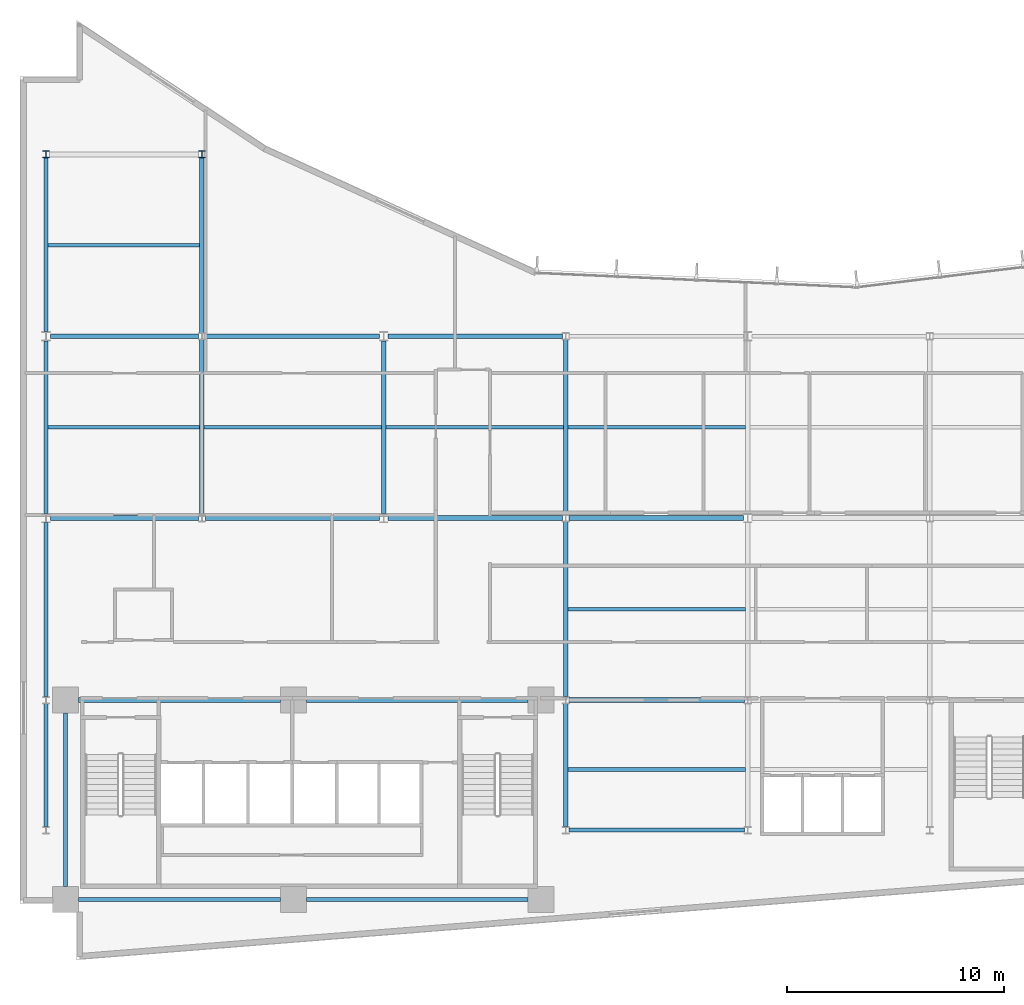
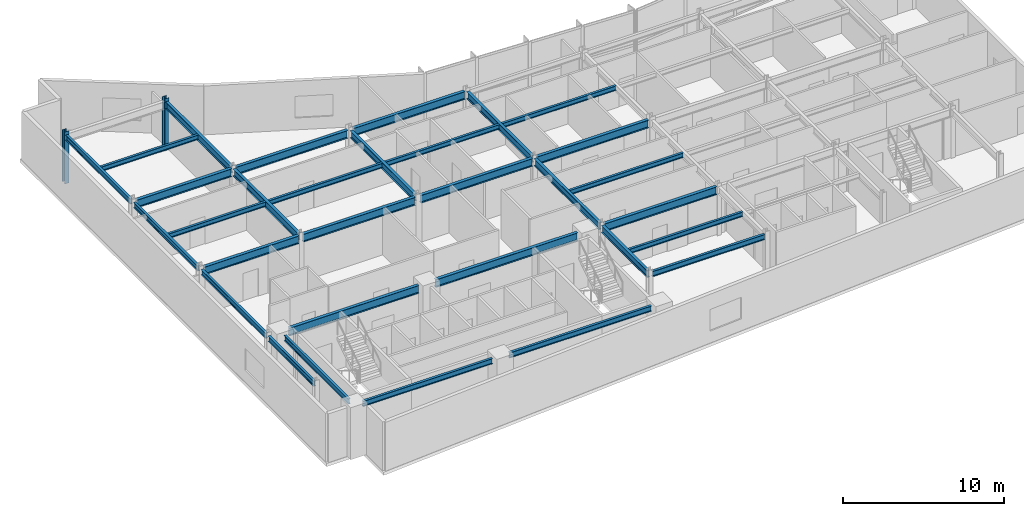
# One storey, part 3 of 17: 31 beams, 2 columns.
"""IFC4 building model written with IfcOpenShell, lengths in metres."""

from ifc_helpers import new_model, si_unit, direction, frame, origin, origin_2d, place, context, subcontext, project, spatial, i_section, extrude, material, material_profile, profile_set, type_object, element, save


model = new_model("IFC4")

# Units and contexts
model_context = context("Model", 3, precision=1e-05, world=origin(), true_north=direction((0.0, 1.0)))
body_context = subcontext(model_context, "Body", "Model", "MODEL_VIEW")
ifc_project = project(units=[si_unit("LENGTHUNIT", "METRE"), si_unit("AREAUNIT", "SQUARE_METRE"), si_unit("VOLUMEUNIT", "CUBIC_METRE"), si_unit("PLANEANGLEUNIT", "RADIAN"), si_unit("MASSUNIT", "GRAM", prefix="KILO")], contexts=[model_context])

# Site, building, storey
site_placement = place(None, origin())
site = spatial("IfcSite", under=ifc_project, at=site_placement, CompositionType="ELEMENT")
building_placement = place(site_placement, origin())
building = spatial("IfcBuilding", under=site, at=building_placement, Name="Varnakote Quay Hospital", CompositionType="ELEMENT")
storey_placement = place(building_placement, frame((0.0, 0.0, 131.0)))
storey = spatial("IfcBuildingStorey", under=building, at=storey_placement, Name="L32", CompositionType="ELEMENT", Elevation=131.0)

# Columns
ifc_material_1 = material(Name="Structural steel AS/NZS 3679.1 Grade 350 L0 (fy 340 MPa)", Category="steel")
ifc_material_profile_1 = material_profile(ifc_material_1, i_section(OverallWidth=0.30908203125, OverallDepth=0.321044921875, WebThickness=0.013916015625, FlangeThickness=0.021728515625, FilletRadius=0.0166015625, at=origin_2d()), Name="310UC137")
ifc_profile_set_1 = profile_set([ifc_material_profile_1], Name="Structural steel AS/NZS 3679.1 Grade 350 L0 (fy 340 MPa)")
column_type = type_object("IfcColumnType", Name="COL-STL-310UC137", PredefinedType="COLUMN", material=ifc_profile_set_1)
for number, where, z_axis, x_axis, name in (
    (1, (1.199951171875, 37.199951171875, 0.0), (0.0, 0.0, 1.0), (1.0, 0.0, 0.0), "L32 Structural Column C-1-37"),
    (2, (8.39990234375, 37.199951171875, 0.0), (0.0, 0.0, 1.0), (1.0, 0.0, 0.0), "L32 Structural Column C-8-37"),
):
    element("IfcColumn", number, at=place(storey_placement, frame(where, z_axis=z_axis, x_axis=x_axis)), inside=storey, type_object=column_type, Name=name, PredefinedType="COLUMN", context=body_context, shape_type="SweptSolid", body=[
        extrude(i_section(OverallWidth=0.30908203125, OverallDepth=0.321044921875, WebThickness=0.013916015625, FlangeThickness=0.021728515625, FilletRadius=0.0166015625, at=origin_2d()), origin(), (0.0, 0.0, 1.0), 3.949951171875),
    ])

# Beams
ifc_material_2 = material(Name="Structural steel AS/NZS 3679.1 Grade 350 L0 (fy 340 MPa)", Category="steel")
ifc_material_profile_2 = material_profile(ifc_material_2, i_section(OverallWidth=0.208984375, OverallDepth=0.532958984375, WebThickness=0.01025390625, FlangeThickness=0.015625, FilletRadius=0.013916015625, at=origin_2d()), Name="530UB92.4")
ifc_profile_set_2 = profile_set([ifc_material_profile_2], Name="Structural steel AS/NZS 3679.1 Grade 350 L0 (fy 340 MPa)")
beam_type_1 = type_object("IfcBeamType", Name="BM-STL-530UB92-4", PredefinedType="BEAM", material=ifc_profile_set_2)
beam_1_placement = place(storey_placement, frame((8.39990234375, 20.560546875, 3.443603515625), z_axis=(0.0, 1.0, 0.0), x_axis=(-1.0, 0.0, 0.0)))
element("IfcBeam", 3, at=beam_1_placement, inside=storey, type_object=beam_type_1, Name="L32 Primary Tie Beam", PredefinedType="BEAM", context=body_context, shape_type="SweptSolid", body=[
    extrude(i_section(OverallWidth=0.208984375, OverallDepth=0.532958984375, WebThickness=0.01025390625, FlangeThickness=0.015625, FilletRadius=0.013916015625, at=origin_2d()), origin(), (0.0, 0.0, 1.0), 8.078857421875),
])
beam_2_placement = place(storey_placement, frame((8.39990234375, 28.96044921875, 3.443603515625), z_axis=(0.0, 1.0, 0.0), x_axis=(-1.0, 0.0, 0.0)))
element("IfcBeam", 4, at=beam_2_placement, inside=storey, type_object=beam_type_1, Name="L32 Primary Tie Beam", PredefinedType="BEAM", context=body_context, shape_type="SweptSolid", body=[
    extrude(i_section(OverallWidth=0.208984375, OverallDepth=0.532958984375, WebThickness=0.01025390625, FlangeThickness=0.015625, FilletRadius=0.013916015625, at=origin_2d()), origin(), (0.0, 0.0, 1.0), 8.0791015625),
])
beam_3_placement = place(storey_placement, frame((16.800048828125, 20.610107421875, 3.443603515625), z_axis=(0.0, 1.0, 0.0), x_axis=(-1.0, 0.0, 0.0)))
element("IfcBeam", 5, at=beam_3_placement, inside=storey, type_object=beam_type_1, Name="L32 Primary Tie Beam", PredefinedType="BEAM", context=body_context, shape_type="SweptSolid", body=[
    extrude(i_section(OverallWidth=0.208984375, OverallDepth=0.532958984375, WebThickness=0.01025390625, FlangeThickness=0.015625, FilletRadius=0.013916015625, at=origin_2d()), origin(), (0.0, 0.0, 1.0), 7.97998046875),
])
beam_4_placement = place(storey_placement, frame((25.199951171875, 6.160400390625, 3.443603515625), z_axis=(0.0, 1.0, 0.0), x_axis=(-1.0, 0.0, 0.0)))
element("IfcBeam", 6, at=beam_4_placement, inside=storey, type_object=beam_type_1, Name="L32 Primary Tie Beam", PredefinedType="BEAM", context=body_context, shape_type="SweptSolid", body=[
    extrude(i_section(OverallWidth=0.208984375, OverallDepth=0.532958984375, WebThickness=0.01025390625, FlangeThickness=0.015625, FilletRadius=0.013916015625, at=origin_2d()), origin(), (0.0, 0.0, 1.0), 5.67919921875),
])
beam_5_placement = place(storey_placement, frame((25.199951171875, 12.160400390625, 3.443603515625), z_axis=(0.0, 1.0, 0.0), x_axis=(-1.0, 0.0, 0.0)))
element("IfcBeam", 7, at=beam_5_placement, inside=storey, type_object=beam_type_1, Name="L32 Primary Tie Beam", PredefinedType="BEAM", context=body_context, shape_type="SweptSolid", body=[
    extrude(i_section(OverallWidth=0.208984375, OverallDepth=0.532958984375, WebThickness=0.01025390625, FlangeThickness=0.015625, FilletRadius=0.013916015625, at=origin_2d()), origin(), (0.0, 0.0, 1.0), 8.0791015625),
])
beam_6_placement = place(storey_placement, frame((25.199951171875, 20.560546875, 3.443603515625), z_axis=(0.0, 1.0, 0.0), x_axis=(-1.0, 0.0, 0.0)))
element("IfcBeam", 8, at=beam_6_placement, inside=storey, type_object=beam_type_1, Name="L32 Primary Tie Beam", PredefinedType="BEAM", context=body_context, shape_type="SweptSolid", body=[
    extrude(i_section(OverallWidth=0.208984375, OverallDepth=0.532958984375, WebThickness=0.01025390625, FlangeThickness=0.015625, FilletRadius=0.013916015625, at=origin_2d()), origin(), (0.0, 0.0, 1.0), 8.078857421875),
])
ifc_material_3 = material(Name="Structural steel AS/NZS 3679.1 Grade 350 L0 (fy 340 MPa)", Category="steel")
ifc_material_profile_3 = material_profile(ifc_material_3, i_section(OverallWidth=0.22802734375, OverallDepth=0.60205078125, WebThickness=0.010498046875, FlangeThickness=0.014892578125, FilletRadius=0.013916015625, at=origin_2d()), Name="610UB101")
ifc_profile_set_3 = profile_set([ifc_material_profile_3], Name="Structural steel AS/NZS 3679.1 Grade 350 L0 (fy 340 MPa)")
beam_type_2 = type_object("IfcBeamType", Name="BM-STL-610UB101", PredefinedType="BEAM", material=ifc_profile_set_3)
beam_7_placement = place(storey_placement, frame((2.699951171875, 12.0, 3.408935546875), z_axis=(1.0, 0.0, 0.0), x_axis=(0.0, 1.0, 0.0)))
element("IfcBeam", 9, at=beam_7_placement, inside=storey, type_object=beam_type_2, Name="L32 Primary Floor Beam", PredefinedType="BEAM", context=body_context, shape_type="SweptSolid", body=[
    extrude(i_section(OverallWidth=0.22802734375, OverallDepth=0.60205078125, WebThickness=0.010498046875, FlangeThickness=0.014892578125, FilletRadius=0.013916015625, at=origin_2d()), origin(), (0.0, 0.0, 1.0), 9.320068359375),
])
beam_8_placement = place(storey_placement, frame((13.219970703125, 12.0, 3.408935546875), z_axis=(1.0, 0.0, 0.0), x_axis=(0.0, 1.0, 0.0)))
element("IfcBeam", 10, at=beam_8_placement, inside=storey, type_object=beam_type_2, Name="L32 Primary Floor Beam", PredefinedType="BEAM", context=body_context, shape_type="SweptSolid", body=[
    extrude(i_section(OverallWidth=0.22802734375, OverallDepth=0.60205078125, WebThickness=0.010498046875, FlangeThickness=0.014892578125, FilletRadius=0.013916015625, at=origin_2d()), origin(), (0.0, 0.0, 1.0), 10.22998046875),
])
beam_9_placement = place(storey_placement, frame((25.3544921875, 12.0, 3.408935546875), z_axis=(1.0, 0.0, 0.0), x_axis=(0.0, 1.0, 0.0)))
element("IfcBeam", 11, at=beam_9_placement, inside=storey, type_object=beam_type_2, Name="L32 Primary Floor Beam", PredefinedType="BEAM", context=body_context, shape_type="SweptSolid", body=[
    extrude(i_section(OverallWidth=0.22802734375, OverallDepth=0.60205078125, WebThickness=0.010498046875, FlangeThickness=0.014892578125, FilletRadius=0.013916015625, at=origin_2d()), origin(), (0.0, 0.0, 1.0), 8.091064453125),
])
beam_10_placement = place(storey_placement, frame((1.39990234375, 20.39990234375, 3.408935546875), z_axis=(1.0, 0.0, 0.0), x_axis=(0.0, 1.0, 0.0)))
element("IfcBeam", 12, at=beam_10_placement, inside=storey, type_object=beam_type_2, Name="L32 Primary Floor Beam", PredefinedType="BEAM", context=body_context, shape_type="SweptSolid", body=[
    extrude(i_section(OverallWidth=0.22802734375, OverallDepth=0.60205078125, WebThickness=0.010498046875, FlangeThickness=0.014892578125, FilletRadius=0.013916015625, at=origin_2d()), origin(), (0.0, 0.0, 1.0), 6.845703125),
])
beam_11_placement = place(storey_placement, frame((8.554443359375, 20.39990234375, 3.408935546875), z_axis=(1.0, 0.0, 0.0), x_axis=(0.0, 1.0, 0.0)))
element("IfcBeam", 13, at=beam_11_placement, inside=storey, type_object=beam_type_2, Name="L32 Primary Floor Beam", PredefinedType="BEAM", context=body_context, shape_type="SweptSolid", body=[
    extrude(i_section(OverallWidth=0.22802734375, OverallDepth=0.60205078125, WebThickness=0.010498046875, FlangeThickness=0.014892578125, FilletRadius=0.013916015625, at=origin_2d()), origin(), (0.0, 0.0, 1.0), 8.045654296875),
])
for number, where, z_axis, x_axis, name in (
    (14, (17.0, 20.39990234375, 3.408935546875), (1.0, 0.0, 0.0), (0.0, 1.0, 0.0), "L32 Primary Floor Beam"),
    (15, (25.3544921875, 20.39990234375, 3.408935546875), (1.0, 0.0, 0.0), (0.0, 1.0, 0.0), "L32 Primary Floor Beam"),
):
    element("IfcBeam", number, at=place(storey_placement, frame(where, z_axis=z_axis, x_axis=x_axis)), inside=storey, type_object=beam_type_2, Name=name, PredefinedType="BEAM", context=body_context, shape_type="SweptSolid", body=[
        extrude(i_section(OverallWidth=0.22802734375, OverallDepth=0.60205078125, WebThickness=0.010498046875, FlangeThickness=0.014892578125, FilletRadius=0.013916015625, at=origin_2d()), origin(), (0.0, 0.0, 1.0), 8.04541015625),
    ])
beam_12_placement = place(storey_placement, frame((1.39990234375, 28.800048828125, 3.408935546875), z_axis=(1.0, 0.0, 0.0), x_axis=(0.0, 1.0, 0.0)))
element("IfcBeam", 16, at=beam_12_placement, inside=storey, type_object=beam_type_2, Name="L32 Primary Floor Beam", PredefinedType="BEAM", context=body_context, shape_type="SweptSolid", body=[
    extrude(i_section(OverallWidth=0.22802734375, OverallDepth=0.60205078125, WebThickness=0.010498046875, FlangeThickness=0.014892578125, FilletRadius=0.013916015625, at=origin_2d()), origin(), (0.0, 0.0, 1.0), 6.845703125),
])
beam_13_placement = place(storey_placement, frame((8.554443359375, 28.800048828125, 3.408935546875), z_axis=(1.0, 0.0, 0.0), x_axis=(0.0, 1.0, 0.0)))
element("IfcBeam", 17, at=beam_13_placement, inside=storey, type_object=beam_type_2, Name="L32 Primary Floor Beam", PredefinedType="BEAM", context=body_context, shape_type="SweptSolid", body=[
    extrude(i_section(OverallWidth=0.22802734375, OverallDepth=0.60205078125, WebThickness=0.010498046875, FlangeThickness=0.014892578125, FilletRadius=0.013916015625, at=origin_2d()), origin(), (0.0, 0.0, 1.0), 8.045654296875),
])
beam_14_placement = place(storey_placement, frame((17.0, 28.800048828125, 3.408935546875), z_axis=(1.0, 0.0, 0.0), x_axis=(0.0, 1.0, 0.0)))
element("IfcBeam", 18, at=beam_14_placement, inside=storey, type_object=beam_type_2, Name="L32 Primary Floor Beam", PredefinedType="BEAM", context=body_context, shape_type="SweptSolid", body=[
    extrude(i_section(OverallWidth=0.22802734375, OverallDepth=0.60205078125, WebThickness=0.010498046875, FlangeThickness=0.014892578125, FilletRadius=0.013916015625, at=origin_2d()), origin(), (0.0, 0.0, 1.0), 8.04541015625),
])
ifc_material_4 = material(Name="Structural steel AS/NZS 3679.1 Grade 350 L0 (fy 340 MPa)", Category="steel")
ifc_material_profile_4 = material_profile(ifc_material_4, i_section(OverallWidth=0.1708984375, OverallDepth=0.35595703125, WebThickness=0.00732421875, FlangeThickness=0.011474609375, FilletRadius=0.011474609375, at=origin_2d()), Name="360UB50.7")
ifc_profile_set_4 = profile_set([ifc_material_profile_4], Name="Structural steel AS/NZS 3679.1 Grade 350 L0 (fy 340 MPa)")
beam_type_3 = type_object("IfcBeamType", Name="JST-STL-360UB50-7", PredefinedType="JOIST", material=ifc_profile_set_4)
for number, where, z_axis, x_axis, name in (
    (19, (25.304443359375, 8.800048828125, 3.531982421875), (1.0, 0.0, 0.0), (0.0, 1.0, 0.0), "L32 Composite Floor Joist"),
    (20, (25.304443359375, 16.199951171875, 3.531982421875), (1.0, 0.0, 0.0), (0.0, 1.0, 0.0), "L32 Composite Floor Joist"),
):
    element("IfcBeam", number, at=place(storey_placement, frame(where, z_axis=z_axis, x_axis=x_axis)), inside=storey, type_object=beam_type_3, Name=name, PredefinedType="JOIST", context=body_context, shape_type="SweptSolid", body=[
        extrude(i_section(OverallWidth=0.1708984375, OverallDepth=0.35595703125, WebThickness=0.00732421875, FlangeThickness=0.011474609375, FilletRadius=0.011474609375, at=origin_2d()), origin(), (0.0, 0.0, 1.0), 8.191162109375),
    ])
beam_15_placement = place(storey_placement, frame((1.2890625, 24.60009765625, 3.531982421875), z_axis=(1.0, 0.0, 0.0), x_axis=(0.0, 1.0, 0.0)))
element("IfcBeam", 21, at=beam_15_placement, inside=storey, type_object=beam_type_3, Name="L32 Composite Floor Joist", PredefinedType="JOIST", context=body_context, shape_type="SweptSolid", body=[
    extrude(i_section(OverallWidth=0.1708984375, OverallDepth=0.35595703125, WebThickness=0.00732421875, FlangeThickness=0.011474609375, FilletRadius=0.011474609375, at=origin_2d()), origin(), (0.0, 0.0, 1.0), 7.00634765625),
])
beam_16_placement = place(storey_placement, frame((8.50439453125, 24.60009765625, 3.531982421875), z_axis=(1.0, 0.0, 0.0), x_axis=(0.0, 1.0, 0.0)))
element("IfcBeam", 22, at=beam_16_placement, inside=storey, type_object=beam_type_3, Name="L32 Composite Floor Joist", PredefinedType="JOIST", context=body_context, shape_type="SweptSolid", body=[
    extrude(i_section(OverallWidth=0.1708984375, OverallDepth=0.35595703125, WebThickness=0.00732421875, FlangeThickness=0.011474609375, FilletRadius=0.011474609375, at=origin_2d()), origin(), (0.0, 0.0, 1.0), 8.191162109375),
])
beam_17_placement = place(storey_placement, frame((16.904541015625, 24.60009765625, 3.531982421875), z_axis=(1.0, 0.0, 0.0), x_axis=(0.0, 1.0, 0.0)))
element("IfcBeam", 23, at=beam_17_placement, inside=storey, type_object=beam_type_3, Name="L32 Composite Floor Joist", PredefinedType="JOIST", context=body_context, shape_type="SweptSolid", body=[
    extrude(i_section(OverallWidth=0.1708984375, OverallDepth=0.35595703125, WebThickness=0.00732421875, FlangeThickness=0.011474609375, FilletRadius=0.011474609375, at=origin_2d()), origin(), (0.0, 0.0, 1.0), 8.19091796875),
])
beam_18_placement = place(storey_placement, frame((25.304443359375, 24.60009765625, 3.531982421875), z_axis=(1.0, 0.0, 0.0), x_axis=(0.0, 1.0, 0.0)))
element("IfcBeam", 24, at=beam_18_placement, inside=storey, type_object=beam_type_3, Name="L32 Composite Floor Joist", PredefinedType="JOIST", context=body_context, shape_type="SweptSolid", body=[
    extrude(i_section(OverallWidth=0.1708984375, OverallDepth=0.35595703125, WebThickness=0.00732421875, FlangeThickness=0.011474609375, FilletRadius=0.011474609375, at=origin_2d()), origin(), (0.0, 0.0, 1.0), 8.191162109375),
])
beam_19_placement = place(storey_placement, frame((1.2890625, 33.0, 3.531982421875), z_axis=(1.0, 0.0, 0.0), x_axis=(0.0, 1.0, 0.0)))
element("IfcBeam", 25, at=beam_19_placement, inside=storey, type_object=beam_type_3, Name="L32 Composite Floor Joist", PredefinedType="JOIST", context=body_context, shape_type="SweptSolid", body=[
    extrude(i_section(OverallWidth=0.1708984375, OverallDepth=0.35595703125, WebThickness=0.00732421875, FlangeThickness=0.011474609375, FilletRadius=0.011474609375, at=origin_2d()), origin(), (0.0, 0.0, 1.0), 7.00634765625),
])
ifc_material_5 = material(Name="Structural steel AS/NZS 3679.1 Grade 350 L0 (fy 340 MPa)", Category="steel")
ifc_material_profile_5 = material_profile(ifc_material_5, i_section(OverallWidth=0.177978515625, OverallDepth=0.403076171875, WebThickness=0.007568359375, FlangeThickness=0.010986328125, FilletRadius=0.011474609375, at=origin_2d()), Name="410UB53.7")
ifc_profile_set_5 = profile_set([ifc_material_profile_5], Name="Structural steel AS/NZS 3679.1 Grade 350 L0 (fy 340 MPa)")
beam_type_4 = type_object("IfcBeamType", Name="SPN-STL-410UB53-7", PredefinedType="SPANDREL", material=ifc_profile_set_5)
beam_20_placement = place(storey_placement, frame((1.199951171875, 6.160400390625, 3.508544921875), z_axis=(0.0, 1.0, 0.0), x_axis=(-1.0, 0.0, 0.0)))
element("IfcBeam", 26, at=beam_20_placement, inside=storey, type_object=beam_type_4, Name="L32 Perimeter Spandrel Beam", PredefinedType="SPANDREL", context=body_context, shape_type="SweptSolid", body=[
    extrude(i_section(OverallWidth=0.177978515625, OverallDepth=0.403076171875, WebThickness=0.007568359375, FlangeThickness=0.010986328125, FilletRadius=0.011474609375, at=origin_2d()), origin(), (0.0, 0.0, 1.0), 5.67919921875),
])
beam_21_placement = place(storey_placement, frame((1.199951171875, 12.160400390625, 3.508544921875), z_axis=(0.0, 1.0, 0.0), x_axis=(-1.0, 0.0, 0.0)))
element("IfcBeam", 27, at=beam_21_placement, inside=storey, type_object=beam_type_4, Name="L32 Perimeter Spandrel Beam", PredefinedType="SPANDREL", context=body_context, shape_type="SweptSolid", body=[
    extrude(i_section(OverallWidth=0.177978515625, OverallDepth=0.403076171875, WebThickness=0.007568359375, FlangeThickness=0.010986328125, FilletRadius=0.011474609375, at=origin_2d()), origin(), (0.0, 0.0, 1.0), 8.029541015625),
])
beam_22_placement = place(storey_placement, frame((1.199951171875, 20.610107421875, 3.508544921875), z_axis=(0.0, 1.0, 0.0), x_axis=(-1.0, 0.0, 0.0)))
element("IfcBeam", 28, at=beam_22_placement, inside=storey, type_object=beam_type_4, Name="L32 Perimeter Spandrel Beam", PredefinedType="SPANDREL", context=body_context, shape_type="SweptSolid", body=[
    extrude(i_section(OverallWidth=0.177978515625, OverallDepth=0.403076171875, WebThickness=0.007568359375, FlangeThickness=0.010986328125, FilletRadius=0.011474609375, at=origin_2d()), origin(), (0.0, 0.0, 1.0), 7.97998046875),
])
beam_23_placement = place(storey_placement, frame((1.199951171875, 29.010009765625, 3.508544921875), z_axis=(0.0, 1.0, 0.0), x_axis=(-1.0, 0.0, 0.0)))
element("IfcBeam", 29, at=beam_23_placement, inside=storey, type_object=beam_type_4, Name="L32 Perimeter Spandrel Beam", PredefinedType="SPANDREL", context=body_context, shape_type="SweptSolid", body=[
    extrude(i_section(OverallWidth=0.177978515625, OverallDepth=0.403076171875, WebThickness=0.007568359375, FlangeThickness=0.010986328125, FilletRadius=0.011474609375, at=origin_2d()), origin(), (0.0, 0.0, 1.0), 8.029541015625),
])
beam_24_placement = place(storey_placement, frame((2.10009765625, 3.39990234375, 3.508544921875), z_axis=(0.0, 1.0, 0.0), x_axis=(-1.0, 0.0, 0.0)))
element("IfcBeam", 30, at=beam_24_placement, inside=storey, type_object=beam_type_4, Name="L32 Perimeter Spandrel Beam", PredefinedType="SPANDREL", context=body_context, shape_type="SweptSolid", body=[
    extrude(i_section(OverallWidth=0.177978515625, OverallDepth=0.403076171875, WebThickness=0.007568359375, FlangeThickness=0.010986328125, FilletRadius=0.011474609375, at=origin_2d()), origin(), (0.0, 0.0, 1.0), 8.0),
])
ifc_material_6 = material(Name="Structural steel AS/NZS 3679.1 Grade 350 L0 (fy 340 MPa)", Category="steel")
ifc_material_profile_6 = material_profile(ifc_material_6, i_section(OverallWidth=0.177978515625, OverallDepth=0.406005859375, WebThickness=0.0078125, FlangeThickness=0.0126953125, FilletRadius=0.011474609375, at=origin_2d()), Name="410UB59.7")
ifc_profile_set_6 = profile_set([ifc_material_profile_6], Name="Structural steel AS/NZS 3679.1 Grade 350 L0 (fy 340 MPa)")
beam_type_5 = type_object("IfcBeamType", Name="SPN-STL-410UB59-7", PredefinedType="SPANDREL", material=ifc_profile_set_6)
beam_25_placement = place(storey_placement, frame((2.699951171875, 2.800048828125, 3.507080078125), z_axis=(1.0, 0.0, 0.0), x_axis=(0.0, 1.0, 0.0)))
element("IfcBeam", 31, at=beam_25_placement, inside=storey, type_object=beam_type_5, Name="L32 Perimeter Spandrel Beam", PredefinedType="SPANDREL", context=body_context, shape_type="SweptSolid", body=[
    extrude(i_section(OverallWidth=0.177978515625, OverallDepth=0.406005859375, WebThickness=0.0078125, FlangeThickness=0.0126953125, FilletRadius=0.011474609375, at=origin_2d()), origin(), (0.0, 0.0, 1.0), 9.320068359375),
])
beam_26_placement = place(storey_placement, frame((13.219970703125, 2.800048828125, 3.507080078125), z_axis=(1.0, 0.0, 0.0), x_axis=(0.0, 1.0, 0.0)))
element("IfcBeam", 32, at=beam_26_placement, inside=storey, type_object=beam_type_5, Name="L32 Perimeter Spandrel Beam", PredefinedType="SPANDREL", context=body_context, shape_type="SweptSolid", body=[
    extrude(i_section(OverallWidth=0.177978515625, OverallDepth=0.406005859375, WebThickness=0.0078125, FlangeThickness=0.0126953125, FilletRadius=0.011474609375, at=origin_2d()), origin(), (0.0, 0.0, 1.0), 10.22998046875),
])
beam_27_placement = place(storey_placement, frame((25.3544921875, 6.0, 3.507080078125), z_axis=(1.0, 0.0, 0.0), x_axis=(0.0, 1.0, 0.0)))
element("IfcBeam", 33, at=beam_27_placement, inside=storey, type_object=beam_type_5, Name="L32 Perimeter Spandrel Beam", PredefinedType="SPANDREL", context=body_context, shape_type="SweptSolid", body=[
    extrude(i_section(OverallWidth=0.177978515625, OverallDepth=0.406005859375, WebThickness=0.0078125, FlangeThickness=0.0126953125, FilletRadius=0.011474609375, at=origin_2d()), origin(), (0.0, 0.0, 1.0), 8.091064453125),
])

save(model, "model.ifc")
